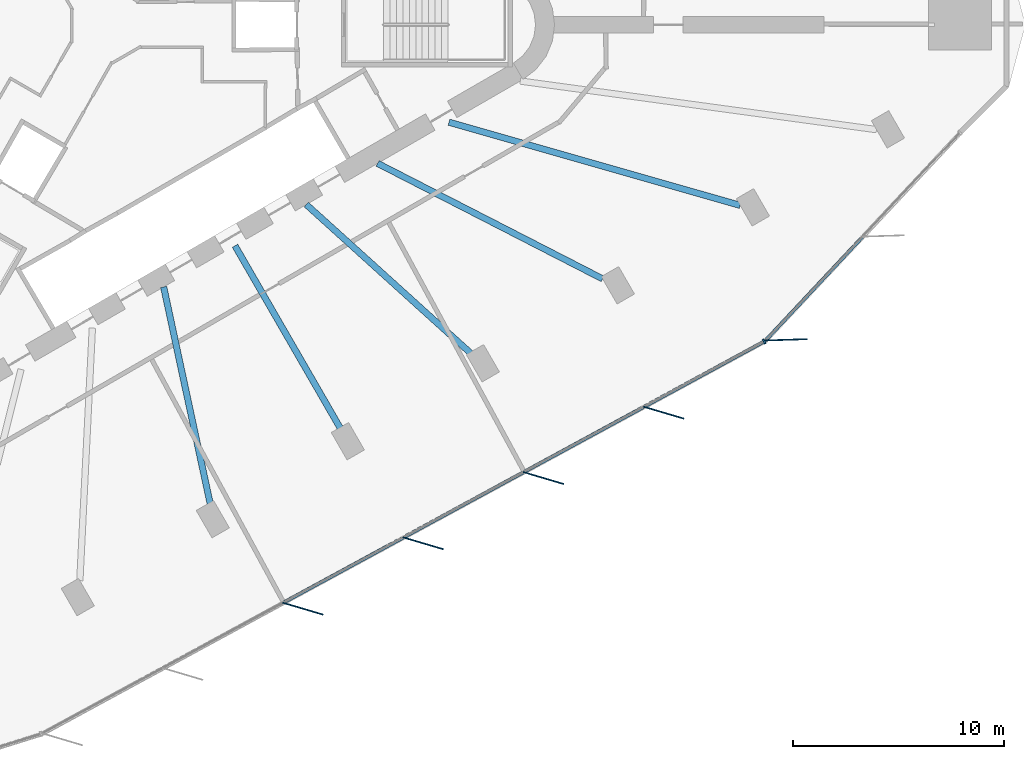
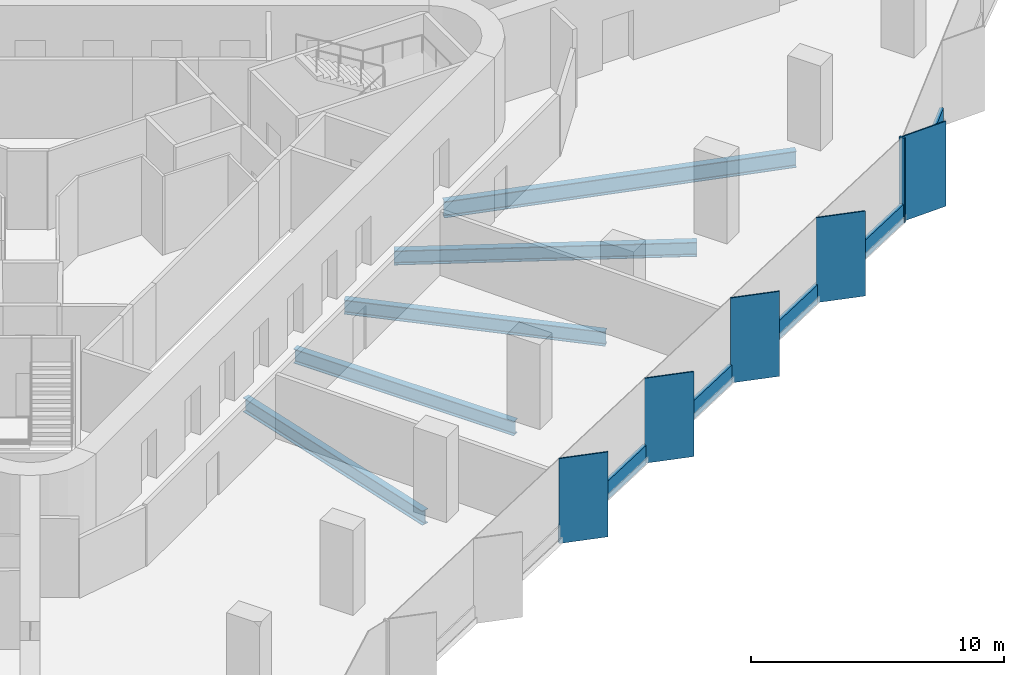
# One storey, part 3 of 14: 11 members, 5 beams, 2 elements without a shape of their own.
"""IFC4 building model written with IfcOpenShell, lengths in metres."""

from ifc_helpers import new_model, si_unit, direction, frame, origin, origin_2d, place, context, subcontext, project, spatial, rectangle, i_section, extrude, material, material_profile, profile_set, type_object, element, aggregate, save


model = new_model("IFC4")

# Units and contexts
model_context = context("Model", 3, precision=1e-05, world=origin(), true_north=direction((0.0, 1.0)))
body_context = subcontext(model_context, "Body", "Model", "MODEL_VIEW")
ifc_project = project(units=[si_unit("LENGTHUNIT", "METRE"), si_unit("AREAUNIT", "SQUARE_METRE"), si_unit("VOLUMEUNIT", "CUBIC_METRE"), si_unit("PLANEANGLEUNIT", "RADIAN"), si_unit("MASSUNIT", "GRAM", prefix="KILO")], contexts=[model_context])

# Site, building, storey
site_placement = place(None, origin())
site = spatial("IfcSite", under=ifc_project, at=site_placement, CompositionType="ELEMENT")
building_placement = place(site_placement, origin())
building = spatial("IfcBuilding", under=site, at=building_placement, Name="Tanit Gate Tower", CompositionType="ELEMENT")
storey_placement = place(building_placement, frame((0.0, 0.0, 119.300048828125)))
storey = spatial("IfcBuildingStorey", under=building, at=storey_placement, Name="L25", CompositionType="ELEMENT", Elevation=119.300048828125)

# Curtain wall, members
ifc_material_1 = material(Name="Aluminium bronze anodised and glass", Category="aluminium")
curtain_wall_type = type_object("IfcCurtainWallType", Name="Curtain wall typical low", PredefinedType="NOTDEFINED", material=ifc_material_1)
curtain_wall_1_placement = place(storey_placement, origin())
curtain_wall_1 = element("IfcCurtainWall", 1, at=curtain_wall_1_placement, inside=storey, type_object=curtain_wall_type, Name="Curtain wall L25 SE2", PredefinedType="NOTDEFINED")
ifc_material_2 = material(Name="Aluminium bronze anodised", Category="aluminium")
ifc_material_profile_1 = material_profile(ifc_material_2, rectangle(XDim=2.0, YDim=0.055908203125, at=origin_2d()), Name="56x2000 bronze fin mullion")
ifc_profile_set_1 = profile_set([ifc_material_profile_1], Name="Aluminium bronze anodised")
member_type_1 = type_object("IfcMemberType", Name="FIN MULLION 56x2000 bronze", PredefinedType="MULLION", material=ifc_profile_set_1)
member_1_placement = place(storey_placement, frame((9.269287109375, -27.681396484375, -0.300048828125), z_axis=(0.0, 0.0, 1.0), x_axis=(-0.958852239174, 0.283905588939, 0.0)))
member_1 = element("IfcMember", 2, at=member_1_placement, type_object=member_type_1, Name="Fin mullion L25 SE2.3", PredefinedType="MULLION", context=body_context, shape_type="SweptSolid", body=[
    extrude(rectangle(XDim=2.0, YDim=0.055908203125, at=origin_2d()), origin(), (0.0, 0.0, 1.0), 4.10009765625),
])
member_2_placement = place(storey_placement, frame((14.970458984375, -24.585205078125, -0.300048828125), z_axis=(0.0, 0.0, 1.0), x_axis=(-0.958852239174, 0.283905588939, 0.0)))
member_2 = element("IfcMember", 3, at=member_2_placement, type_object=member_type_1, Name="Fin mullion L25 SE2.4", PredefinedType="MULLION", context=body_context, shape_type="SweptSolid", body=[
    extrude(rectangle(XDim=2.0, YDim=0.055908203125, at=origin_2d()), origin(), (0.0, 0.0, 1.0), 4.10009765625),
])
member_3_placement = place(storey_placement, frame((20.67138671875, -21.48876953125, -0.300048828125), z_axis=(0.0, 0.0, 1.0), x_axis=(-0.958852239174, 0.283905588939, 0.0)))
member_3 = element("IfcMember", 4, at=member_3_placement, type_object=member_type_1, Name="Fin mullion L25 SE2.5", PredefinedType="MULLION", context=body_context, shape_type="SweptSolid", body=[
    extrude(rectangle(XDim=2.0, YDim=0.055908203125, at=origin_2d()), origin(), (0.0, 0.0, 1.0), 4.10009765625),
])
member_4_placement = place(storey_placement, frame((26.37255859375, -18.392578125, -0.300048828125), z_axis=(0.0, 0.0, 1.0), x_axis=(-0.958852239174, 0.283905588939, 0.0)))
member_4 = element("IfcMember", 5, at=member_4_placement, type_object=member_type_1, Name="Fin mullion L25 SE2.6", PredefinedType="MULLION", context=body_context, shape_type="SweptSolid", body=[
    extrude(rectangle(XDim=2.0, YDim=0.055908203125, at=origin_2d()), origin(), (0.0, 0.0, 1.0), 4.10009765625),
])

# Curtain wall, member
curtain_wall_2_placement = place(storey_placement, origin())
curtain_wall_2 = element("IfcCurtainWall", 6, at=curtain_wall_2_placement, inside=storey, type_object=curtain_wall_type, Name="Curtain wall L25 SE3", PredefinedType="NOTDEFINED")
member_5_placement = place(storey_placement, frame((32.17578125, -14.9384765625, -0.300048828125), z_axis=(0.0, 0.0, 1.0), x_axis=(-0.999463890821, -0.032740356511, 0.0)))
member_5 = element("IfcMember", 7, at=member_5_placement, type_object=member_type_1, Name="Fin mullion L25 SE3.1", PredefinedType="MULLION", context=body_context, shape_type="SweptSolid", body=[
    extrude(rectangle(XDim=2.0, YDim=0.055908203125, at=origin_2d()), origin(), (0.0, 0.0, 1.0), 4.10009765625),
])

# Member
ifc_material_3 = material(Name="Aluminium bronze anodised", Category="aluminium")
ifc_material_profile_2 = material_profile(ifc_material_3, rectangle(XDim=0.239990234375, YDim=0.080078125, at=origin_2d()), Name="80x240 bronze mullion")
ifc_profile_set_2 = profile_set([ifc_material_profile_2], Name="Aluminium bronze anodised")
member_type_2 = type_object("IfcMemberType", Name="Mullion 80x240 typical low", PredefinedType="MULLION", material=ifc_profile_set_2)
member_6_placement = place(storey_placement, frame((31.136474609375, -15.018798828125, -0.300048828125), z_axis=(0.0, 0.0, 1.0), x_axis=(-0.477259353321, 0.878762487631, 0.0)))
member_6 = element("IfcMember", 8, at=member_6_placement, type_object=member_type_2, Name="Mullion L25 SE2.7", PredefinedType="MULLION", context=body_context, shape_type="SweptSolid", body=[
    extrude(rectangle(XDim=0.239990234375, YDim=0.080078125, at=origin_2d()), origin(), (0.0, 0.0, 1.0), 4.10009765625),
])

# Beams
ifc_material_4 = material(Name="Steel S355", Category="steel")
ifc_material_profile_3 = material_profile(ifc_material_4, i_section(OverallWidth=0.300048828125, OverallDepth=0.68994140625, WebThickness=0.014404296875, FlangeThickness=0.027099609375, FilletRadius=0.027099609375, at=origin_2d()), Name="HEA 700")
ifc_profile_set_3 = profile_set([ifc_material_profile_3], Name="Steel S355")
beam_type_1 = type_object("IfcBeamType", Name="RADIAL GIRDER HEA 700 S355", PredefinedType="BEAM", material=ifc_profile_set_3)
beam_1_placement = place(storey_placement, frame((4.887939453125, -22.764892578125, -0.64501953125), z_axis=(-0.209940874713, 0.977714083526, 0.0), x_axis=(-0.977714083526, -0.209940874713, 0.0)))
element("IfcBeam", 9, at=beam_1_placement, inside=storey, type_object=beam_type_1, Name="RADIAL GIRDER", PredefinedType="BEAM", context=body_context, shape_type="SweptSolid", body=[
    extrude(i_section(OverallWidth=0.300048828125, OverallDepth=0.68994140625, WebThickness=0.014404296875, FlangeThickness=0.027099609375, FilletRadius=0.027099609375, at=origin_2d()), origin(), (0.0, 0.0, 1.0), 10.5673828125),
])
beam_2_placement = place(storey_placement, frame((11.07958984375, -19.190185546875, -0.64501953125), z_axis=(-0.500011042411, 0.866019028352, 0.0), x_axis=(-0.866019028352, -0.500011042411, 0.0)))
element("IfcBeam", 10, at=beam_2_placement, inside=storey, type_object=beam_type_1, Name="RADIAL GIRDER", PredefinedType="BEAM", context=body_context, shape_type="SweptSolid", body=[
    extrude(i_section(OverallWidth=0.300048828125, OverallDepth=0.68994140625, WebThickness=0.014404296875, FlangeThickness=0.027099609375, FilletRadius=0.027099609375, at=origin_2d()), origin(), (0.0, 0.0, 1.0), 10.056884765625),
])
beam_3_placement = place(storey_placement, frame((17.27099609375, -15.615478515625, -0.64501953125), z_axis=(-0.741757410194, 0.670668281957, 0.0), x_axis=(-0.670668281957, -0.741757410194, 0.0)))
element("IfcBeam", 11, at=beam_3_placement, inside=storey, type_object=beam_type_1, Name="RADIAL GIRDER", PredefinedType="BEAM", context=body_context, shape_type="SweptSolid", body=[
    extrude(i_section(OverallWidth=0.300048828125, OverallDepth=0.68994140625, WebThickness=0.014404296875, FlangeThickness=0.027099609375, FilletRadius=0.027099609375, at=origin_2d()), origin(), (0.0, 0.0, 1.0), 10.5673828125),
])
beam_4_placement = place(storey_placement, frame((23.4775390625, -12.04833984375, -0.64501953125), z_axis=(-0.889684882484, 0.456575086792, 0.0), x_axis=(-0.456575086792, -0.889684882484, 0.0)))
element("IfcBeam", 12, at=beam_4_placement, inside=storey, type_object=beam_type_1, Name="RADIAL GIRDER", PredefinedType="BEAM", context=body_context, shape_type="SweptSolid", body=[
    extrude(i_section(OverallWidth=0.300048828125, OverallDepth=0.68994140625, WebThickness=0.014404296875, FlangeThickness=0.027099609375, FilletRadius=0.027099609375, at=origin_2d()), origin(), (0.0, 0.0, 1.0), 11.98583984375),
])
ifc_material_5 = material(Name="Steel S355", Category="steel")
ifc_material_profile_4 = material_profile(ifc_material_5, i_section(OverallWidth=0.300048828125, OverallDepth=0.7900390625, WebThickness=0.014892578125, FlangeThickness=0.028076171875, FilletRadius=0.030029296875, at=origin_2d()), Name="HEA 800")
ifc_profile_set_4 = profile_set([ifc_material_profile_4], Name="Steel S355")
beam_type_2 = type_object("IfcBeamType", Name="RADIAL GIRDER HEA 800 S355", PredefinedType="BEAM", material=ifc_profile_set_4)
beam_5_placement = place(storey_placement, frame((30.00146484375, -8.565185546875, -0.695068359375), z_axis=(-0.96158167718, 0.274518994083, 0.0), x_axis=(-0.274518994083, -0.96158167718, 0.0)))
element("IfcBeam", 13, at=beam_5_placement, inside=storey, type_object=beam_type_2, Name="RADIAL GIRDER", PredefinedType="BEAM", context=body_context, shape_type="SweptSolid", body=[
    extrude(i_section(OverallWidth=0.300048828125, OverallDepth=0.7900390625, WebThickness=0.014892578125, FlangeThickness=0.028076171875, FilletRadius=0.030029296875, at=origin_2d()), origin(), (0.0, 0.0, 1.0), 14.357421875),
])

# Member
ifc_material_6 = material(Name="Aluminium bronze anodised", Category="aluminium")
ifc_material_profile_5 = material_profile(ifc_material_6, rectangle(XDim=0.159912109375, YDim=0.89990234375, at=origin_2d()), Name="160x900 bronze transom")
ifc_profile_set_5 = profile_set([ifc_material_profile_5], Name="Aluminium bronze anodised")
member_type_3 = type_object("IfcMemberType", Name="Transom 160x900 typical low", PredefinedType="USERDEFINED", material=ifc_profile_set_5)
member_7_placement = place(storey_placement, frame((8.3671875, -27.384765625, 0.14990234375), z_axis=(0.878764866194, 0.477254973723, 0.0), x_axis=(-0.477254973723, 0.878764866194, 0.0)))
member_7 = element("IfcMember", 14, at=member_7_placement, type_object=member_type_3, Name="Transom L25 SE2.3", ObjectType="TRANSOM", PredefinedType="USERDEFINED", context=body_context, shape_type="SweptSolid", body=[
    extrude(rectangle(XDim=0.159912109375, YDim=0.89990234375, at=origin_2d()), origin(), (0.0, 0.0, 1.0), 6.40771484375),
])

member_8_placement = place(storey_placement, frame((14.068359375, -24.28857421875, 0.14990234375), z_axis=(0.878764866194, 0.477254973723, 0.0), x_axis=(-0.477254973723, 0.878764866194, 0.0)))
member_8 = element("IfcMember", 15, at=member_8_placement, type_object=member_type_3, Name="Transom L25 SE2.4", ObjectType="TRANSOM", PredefinedType="USERDEFINED", context=body_context, shape_type="SweptSolid", body=[
    extrude(rectangle(XDim=0.159912109375, YDim=0.89990234375, at=origin_2d()), origin(), (0.0, 0.0, 1.0), 6.40771484375),
])

member_9_placement = place(storey_placement, frame((19.76953125, -21.192138671875, 0.14990234375), z_axis=(0.878772167509, 0.477241529638, 0.0), x_axis=(-0.477241529638, 0.878772167509, 0.0)))
member_9 = element("IfcMember", 16, at=member_9_placement, type_object=member_type_3, Name="Transom L25 SE2.5", ObjectType="TRANSOM", PredefinedType="USERDEFINED", context=body_context, shape_type="SweptSolid", body=[
    extrude(rectangle(XDim=0.159912109375, YDim=0.89990234375, at=origin_2d()), origin(), (0.0, 0.0, 1.0), 6.407470703125),
])

member_10_placement = place(storey_placement, frame((25.470458984375, -18.095947265625, 0.14990234375), z_axis=(0.878764866194, 0.477254973723, 0.0), x_axis=(-0.477254973723, 0.878764866194, 0.0)))
member_10 = element("IfcMember", 17, at=member_10_placement, type_object=member_type_3, Name="Transom L25 SE2.6", ObjectType="TRANSOM", PredefinedType="USERDEFINED", context=body_context, shape_type="SweptSolid", body=[
    extrude(rectangle(XDim=0.159912109375, YDim=0.89990234375, at=origin_2d()), origin(), (0.0, 0.0, 1.0), 6.40771484375),
])

aggregate(curtain_wall_1, [member_1, member_2, member_3, member_4, member_6, member_7, member_8, member_9, member_10])

member_11_placement = place(storey_placement, frame((31.226318359375, -14.94140625, 0.14990234375), z_axis=(0.683569579282, 0.729885354203, 0.0), x_axis=(-0.729885354203, 0.683569579282, 0.0)))
member_11 = element("IfcMember", 18, at=member_11_placement, type_object=member_type_3, Name="Transom L25 SE3.1", ObjectType="TRANSOM", PredefinedType="USERDEFINED", context=body_context, shape_type="SweptSolid", body=[
    extrude(rectangle(XDim=0.159912109375, YDim=0.89990234375, at=origin_2d()), origin(), (0.0, 0.0, 1.0), 6.668212890625),
])

aggregate(curtain_wall_2, [member_5, member_11])

save(model, "model.ifc")
